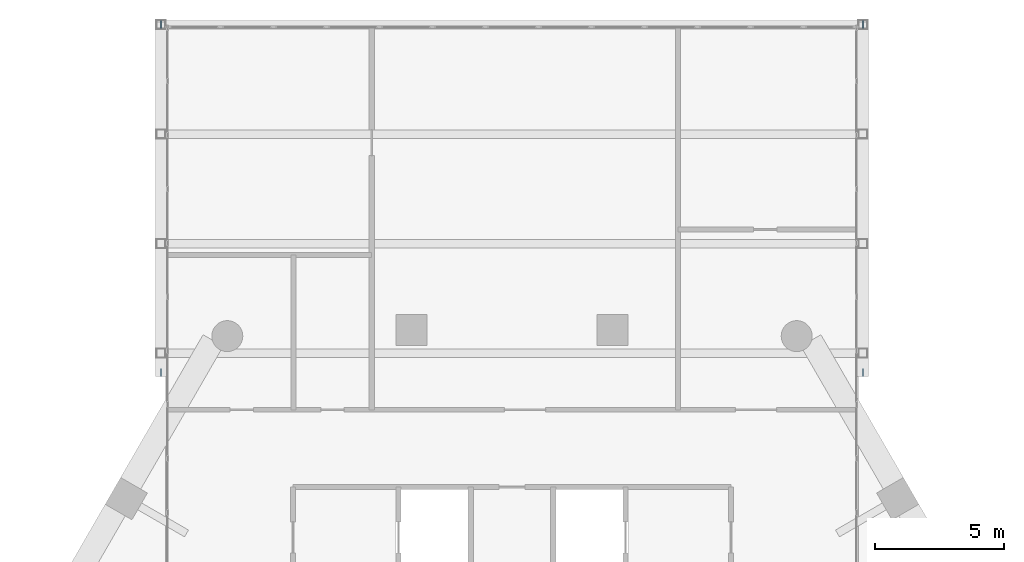
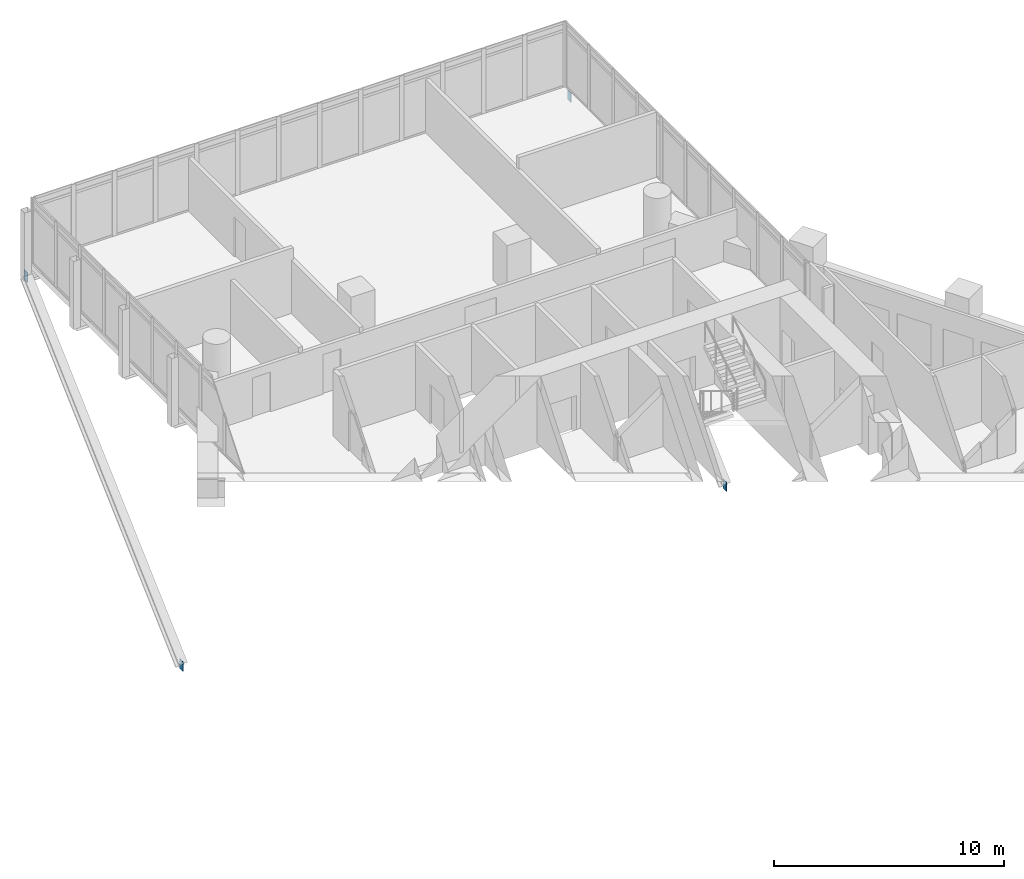
# One storey, part 36 of 37: 4 discrete accessories.
"""IFC4 building model written with IfcOpenShell, lengths in metres."""

from ifc_helpers import new_model, si_unit, direction, frame, origin, origin_2d, place, context, subcontext, project, spatial, rectangle, extrude, material, layer, layer_set, type_object, element, save


model = new_model("IFC4")

# Units and contexts
model_context = context("Model", 3, precision=1e-05, world=origin(), true_north=direction((0.0, 1.0)))
body_context = subcontext(model_context, "Body", "Model", "MODEL_VIEW")
ifc_project = project(units=[si_unit("LENGTHUNIT", "METRE"), si_unit("AREAUNIT", "SQUARE_METRE"), si_unit("VOLUMEUNIT", "CUBIC_METRE"), si_unit("PLANEANGLEUNIT", "RADIAN"), si_unit("MASSUNIT", "GRAM", prefix="KILO")], contexts=[model_context])

# Site, building, storey
site_placement = place(None, origin())
site = spatial("IfcSite", under=ifc_project, at=site_placement, CompositionType="ELEMENT")
building_placement = place(site_placement, origin())
building = spatial("IfcBuilding", under=site, at=building_placement, Name="Ostrander Bayou Hotel Tower", CompositionType="ELEMENT")
storey_placement = place(building_placement, frame((0.0, 0.0, 93.0)))
storey = spatial("IfcBuildingStorey", under=building, at=storey_placement, Name="L23", CompositionType="ELEMENT", Elevation=93.0)

# Discrete accessories
ifc_material = material(Name="Steel ASTM A572 Gr 50", Category="steel")
ifc_layer = layer(ifc_material, 0.030029296875)
ifc_layer_set = layer_set([ifc_layer], Name="GP1 gusset plate 30 mm")
discrete_accessory_type = type_object("IfcDiscreteAccessoryType", Name="GP1 gusset plate 30 mm", PredefinedType="BRACKET", material=ifc_layer_set)
for number, where, z_axis, x_axis, name in (
    (1, (-13.6201171875, 31.54541015625, -0.921875), (0.0, 0.0, 1.0), (0.0, -1.0, 0.0), "GP1 gusset plate bar 109"),
    (2, (-13.6201171875, 18.045654296875, -13.35009765625), (0.0, 0.0, 1.0), (0.0, -1.0, 0.0), "GP1 gusset plate bar 110"),
    (3, (13.6201171875, 31.54541015625, -0.921875), (0.0, 0.0, 1.0), (0.0, -1.0, 0.0), "GP1 gusset plate bar 111"),
    (4, (13.6201171875, 18.045654296875, -13.35009765625), (0.0, 0.0, 1.0), (0.0, -1.0, 0.0), "GP1 gusset plate bar 112"),
):
    element("IfcDiscreteAccessory", number, at=place(storey_placement, frame(where, z_axis=z_axis, x_axis=x_axis)), inside=storey, type_object=discrete_accessory_type, Name=name, PredefinedType="BRACKET", context=body_context, shape_type="SweptSolid", body=[
        extrude(rectangle(XDim=0.300048828125, YDim=0.030029296875, at=origin_2d()), origin(), (0.0, 0.0, 1.0), 0.5),
    ])

save(model, "model.ifc")
